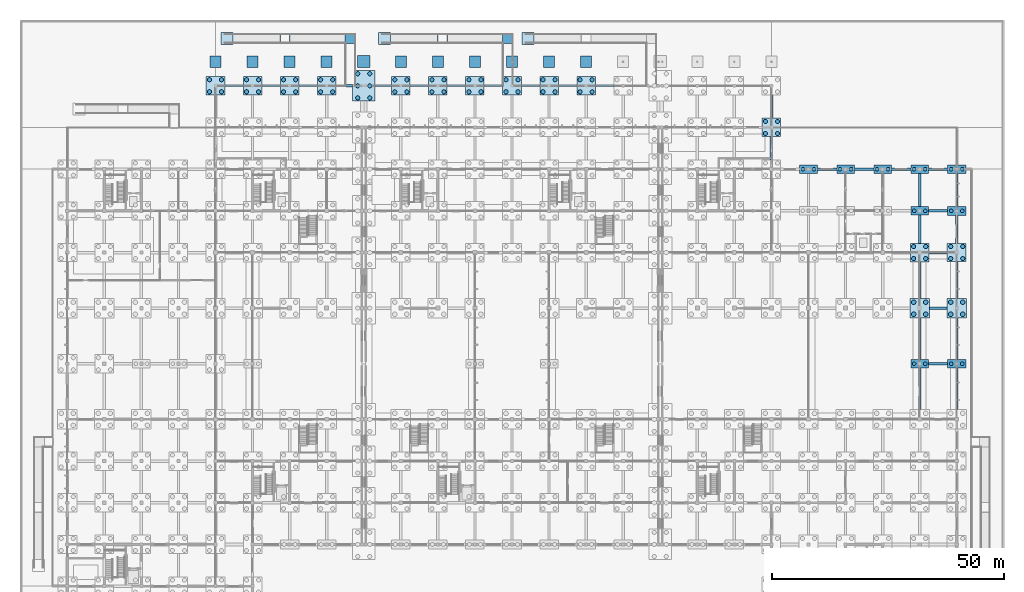
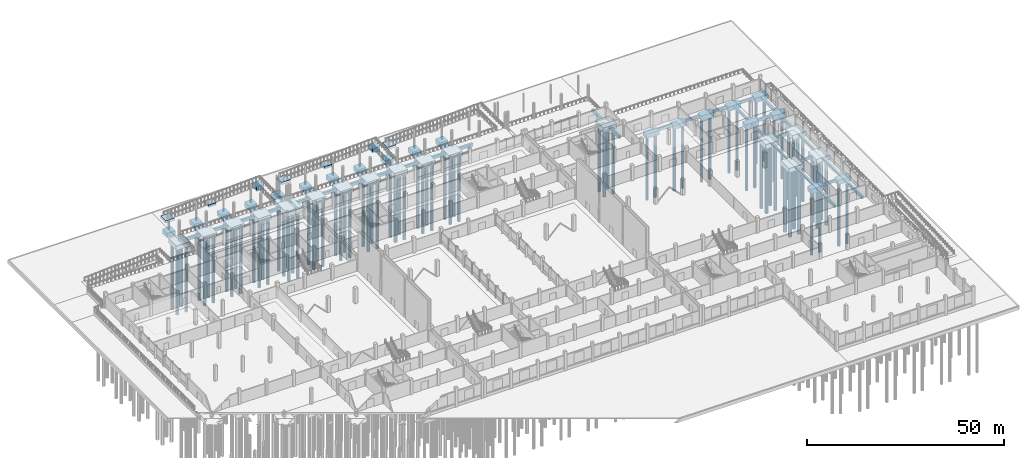
# One storey, part 11 of 72: 84 piles, 74 footings.
"""IFC4 building model written with IfcOpenShell, lengths in metres."""

from ifc_helpers import new_model, si_unit, direction, frame, origin, origin_2d, place, context, subcontext, project, spatial, rectangle, circle, extrude, material, material_profile, profile_set, type_object, element, save


model = new_model("IFC4")

# Units and contexts
model_context = context("Model", 3, precision=1e-05, world=origin(), true_north=direction((0.0, 1.0)))
body_context = subcontext(model_context, "Body", "Model", "MODEL_VIEW")
ifc_project = project(units=[si_unit("LENGTHUNIT", "METRE"), si_unit("AREAUNIT", "SQUARE_METRE"), si_unit("VOLUMEUNIT", "CUBIC_METRE"), si_unit("PLANEANGLEUNIT", "RADIAN"), si_unit("MASSUNIT", "GRAM", prefix="KILO"), si_unit("THERMODYNAMICTEMPERATUREUNIT", "KELVIN"), si_unit("POWERUNIT", "WATT")], contexts=[model_context])

# Site, building, storey
site_placement = place(None, origin())
site = spatial("IfcSite", under=ifc_project, at=site_placement, CompositionType="ELEMENT")
building_placement = place(site_placement, origin())
building = spatial("IfcBuilding", under=site, at=building_placement, Name="Kronsvod Quay Wholesale Market", CompositionType="ELEMENT")
storey_placement = place(building_placement, origin())
storey = spatial("IfcBuildingStorey", under=building, at=storey_placement, Name="L00", CompositionType="ELEMENT", Elevation=0.0)

# Footings
ifc_material_1 = material(Name="Concrete C35/45", Category="concrete")
footing_type_1 = type_object("IfcFootingType", Name="Cap_PC2A", PredefinedType="PILE_CAP", material=ifc_material_1)
for number, where, z_axis, x_axis, name in (
    (1, (160.0, 108.0, -2.64990234375), (0.0, 0.0, 1.0), (1.0, 0.0, 0.0), "CAP-231"),
    (2, (168.0, 108.0, -2.64990234375), (0.0, 0.0, 1.0), (1.0, 0.0, 0.0), "CAP-242"),
    (3, (176.0, 108.0, -2.64990234375), (0.0, 0.0, 1.0), (1.0, 0.0, 0.0), "CAP-253"),
    (4, (184.0, 66.0, -2.64990234375), (0.0, 0.0, 1.0), (1.0, 0.0, 0.0), "CAP-261"),
    (5, (184.0, 99.0, -2.64990234375), (0.0, 0.0, 1.0), (1.0, 0.0, 0.0), "CAP-264"),
    (6, (184.0, 108.0, -2.64990234375), (0.0, 0.0, 1.0), (1.0, 0.0, 0.0), "CAP-265"),
):
    element("IfcFooting", number, at=place(storey_placement, frame(where, z_axis=z_axis, x_axis=x_axis)), inside=storey, type_object=footing_type_1, Name=name, PredefinedType="PILE_CAP", context=body_context, shape_type="SweptSolid", body=[
        extrude(rectangle(XDim=3.800048828125, YDim=1.800048828125, at=origin_2d()), origin(), (0.0, 0.0, 1.0), 1.39990234375),
    ])
ifc_material_2 = material(Name="Concrete C35/45", Category="concrete")
footing_type_2 = type_object("IfcFootingType", Name="Cap_PC2C", PredefinedType="PILE_CAP", material=ifc_material_2)
for number, where, z_axis, x_axis, name in (
    (7, (192.0, 66.0, -2.64990234375), (0.0, 0.0, 1.0), (1.0, 0.0, 0.0), "CAP-273"),
    (8, (192.0, 99.0, -2.64990234375), (0.0, 0.0, 1.0), (1.0, 0.0, 0.0), "CAP-276"),
    (9, (192.0, 108.0, -2.64990234375), (0.0, 0.0, 1.0), (1.0, 0.0, 0.0), "CAP-277"),
):
    element("IfcFooting", number, at=place(storey_placement, frame(where, z_axis=z_axis, x_axis=x_axis)), inside=storey, type_object=footing_type_2, Name=name, PredefinedType="PILE_CAP", context=body_context, shape_type="SweptSolid", body=[
        extrude(rectangle(XDim=3.89990234375, YDim=1.89990234375, at=origin_2d()), origin(), (0.0, 0.0, 1.0), 1.39990234375),
    ])
ifc_material_3 = material(Name="Concrete C35/45", Category="concrete")
footing_type_3 = type_object("IfcFootingType", Name="Cap_PC4A", PredefinedType="PILE_CAP", material=ifc_material_3)
for number, where, z_axis, x_axis, name in (
    (10, (32.0, 126.0, -2.64990234375), (0.0, 0.0, 1.0), (1.0, 0.0, 0.0), "CAP-082"),
    (11, (40.0, 126.0, -2.64990234375), (0.0, 0.0, 1.0), (1.0, 0.0, 0.0), "CAP-096"),
    (12, (48.0, 126.0, -2.64990234375), (0.0, 0.0, 1.0), (1.0, 0.0, 0.0), "CAP-106"),
    (13, (56.0, 126.0, -2.64990234375), (0.0, 0.0, 1.0), (1.0, 0.0, 0.0), "CAP-116"),
    (14, (72.0, 126.0, -2.64990234375), (0.0, 0.0, 1.0), (1.0, 0.0, 0.0), "CAP-126"),
    (15, (80.0, 126.0, -2.64990234375), (0.0, 0.0, 1.0), (1.0, 0.0, 0.0), "CAP-136"),
    (16, (88.0, 126.0, -2.64990234375), (0.0, 0.0, 1.0), (1.0, 0.0, 0.0), "CAP-147"),
    (17, (96.0, 126.0, -2.64990234375), (0.0, 0.0, 1.0), (1.0, 0.0, 0.0), "CAP-156"),
    (18, (104.0, 126.0, -2.64990234375), (0.0, 0.0, 1.0), (1.0, 0.0, 0.0), "CAP-167"),
    (19, (112.0, 126.0, -2.64990234375), (0.0, 0.0, 1.0), (1.0, 0.0, 0.0), "CAP-177"),
    (20, (152.0, 117.0, -2.64990234375), (0.0, 0.0, 1.0), (1.0, 0.0, 0.0), "CAP-219"),
    (21, (184.0, 90.0, -2.64990234375), (0.0, 0.0, 1.0), (1.0, 0.0, 0.0), "CAP-263"),
):
    element("IfcFooting", number, at=place(storey_placement, frame(where, z_axis=z_axis, x_axis=x_axis)), inside=storey, type_object=footing_type_3, Name=name, PredefinedType="PILE_CAP", context=body_context, shape_type="SweptSolid", body=[
        extrude(rectangle(XDim=4.0, YDim=4.0, at=origin_2d()), origin(), (0.0, 0.0, 1.0), 1.39990234375),
    ])
ifc_material_4 = material(Name="Concrete C35/45", Category="concrete")
footing_type_4 = type_object("IfcFootingType", Name="Cap_PC4B", PredefinedType="PILE_CAP", material=ifc_material_4)
for number, where, z_axis, x_axis, name in (
    (22, (184.0, 78.0, -2.64990234375), (0.0, 0.0, 1.0), (1.0, 0.0, 0.0), "CAP-262"),
    (23, (192.0, 78.0, -2.64990234375), (0.0, 0.0, 1.0), (1.0, 0.0, 0.0), "CAP-274"),
):
    element("IfcFooting", number, at=place(storey_placement, frame(where, z_axis=z_axis, x_axis=x_axis)), inside=storey, type_object=footing_type_4, Name=name, PredefinedType="PILE_CAP", context=body_context, shape_type="SweptSolid", body=[
        extrude(rectangle(XDim=4.199951171875, YDim=4.199951171875, at=origin_2d()), origin(), (0.0, 0.0, 1.0), 1.39990234375),
    ])
ifc_material_5 = material(Name="Concrete C35/45", Category="concrete")
footing_type_5 = type_object("IfcFootingType", Name="Cap_PC4C", PredefinedType="PILE_CAP", material=ifc_material_5)
footing_1_placement = place(storey_placement, frame((192.0, 90.0, -2.64990234375), z_axis=(0.0, 0.0, 1.0), x_axis=(1.0, 0.0, 0.0)))
element("IfcFooting", 24, at=footing_1_placement, inside=storey, type_object=footing_type_5, Name="CAP-275", PredefinedType="PILE_CAP", context=body_context, shape_type="SweptSolid", body=[
    extrude(rectangle(XDim=4.10009765625, YDim=3.89990234375, at=origin_2d()), origin(), (0.0, 0.0, 1.0), 1.39990234375),
])
ifc_material_6 = material(Name="Concrete C35/45", Category="concrete")
footing_type_6 = type_object("IfcFootingType", Name="Cap_PC6J", PredefinedType="PILE_CAP", material=ifc_material_6)
footing_2_placement = place(storey_placement, frame((64.0, 126.0, -2.64990234375), z_axis=(0.0, 0.0, 1.0), x_axis=(1.0, 0.0, 0.0)))
element("IfcFooting", 25, at=footing_2_placement, inside=storey, type_object=footing_type_6, Name="CAP-J019", PredefinedType="PILE_CAP", context=body_context, shape_type="SweptSolid", body=[
    extrude(rectangle(XDim=4.800048828125, YDim=6.60009765625, at=origin_2d()), origin(), (0.0, 0.0, 1.0), 1.39990234375),
])
ifc_material_7 = material(Name="Concrete C35/45", Category="concrete")
ifc_material_profile_1 = material_profile(ifc_material_7, rectangle(XDim=0.5, YDim=0.800048828125, at=origin_2d()), Name="FB-01")
ifc_profile_set_1 = profile_set([ifc_material_profile_1], Name="Concrete C35/45")
footing_type_7 = type_object("IfcFootingType", Name="FootingBeam_500x800", PredefinedType="FOOTING_BEAM", material=ifc_profile_set_1)
footing_3_placement = place(storey_placement, frame((185.89990234375, 66.0, -1.64990234375), z_axis=(1.0, 0.0, 0.0), x_axis=(0.0, 1.0, 0.0)))
element("IfcFooting", 26, at=footing_3_placement, inside=storey, type_object=footing_type_7, Name="FB-X-0389", PredefinedType="FOOTING_BEAM", context=body_context, shape_type="SweptSolid", body=[
    extrude(rectangle(XDim=0.5, YDim=0.800048828125, at=origin_2d()), origin(), (0.0, 0.0, 1.0), 4.150146484375),
])
footing_4_placement = place(storey_placement, frame((186.10009765625, 78.0, -1.64990234375), z_axis=(1.0, 0.0, 0.0), x_axis=(0.0, 1.0, 0.0)))
element("IfcFooting", 27, at=footing_4_placement, inside=storey, type_object=footing_type_7, Name="FB-X-0397", PredefinedType="FOOTING_BEAM", context=body_context, shape_type="SweptSolid", body=[
    extrude(rectangle(XDim=0.5, YDim=0.800048828125, at=origin_2d()), origin(), (0.0, 0.0, 1.0), 3.7998046875),
])
for number, where, z_axis, x_axis, name in (
    (28, (161.89990234375, 108.0, -1.64990234375), (1.0, 0.0, 0.0), (0.0, 1.0, 0.0), "FB-X-0418"),
    (29, (169.89990234375, 108.0, -1.64990234375), (1.0, 0.0, 0.0), (0.0, 1.0, 0.0), "FB-X-0419"),
    (30, (177.89990234375, 108.0, -1.64990234375), (1.0, 0.0, 0.0), (0.0, 1.0, 0.0), "FB-X-0420"),
):
    element("IfcFooting", number, at=place(storey_placement, frame(where, z_axis=z_axis, x_axis=x_axis)), inside=storey, type_object=footing_type_7, Name=name, PredefinedType="FOOTING_BEAM", context=body_context, shape_type="SweptSolid", body=[
        extrude(rectangle(XDim=0.5, YDim=0.800048828125, at=origin_2d()), origin(), (0.0, 0.0, 1.0), 4.2001953125),
    ])
footing_5_placement = place(storey_placement, frame((185.89990234375, 108.0, -1.64990234375), z_axis=(1.0, 0.0, 0.0), x_axis=(0.0, 1.0, 0.0)))
element("IfcFooting", 31, at=footing_5_placement, inside=storey, type_object=footing_type_7, Name="FB-X-0421", PredefinedType="FOOTING_BEAM", context=body_context, shape_type="SweptSolid", body=[
    extrude(rectangle(XDim=0.5, YDim=0.800048828125, at=origin_2d()), origin(), (0.0, 0.0, 1.0), 4.150146484375),
])
for number, where, z_axis, x_axis, name in (
    (32, (184.0, 56.10009765625, -1.64990234375), (0.0, 1.0, 0.0), (-1.0, 0.0, 0.0), "FB-Y-0496"),
    (33, (184.0, 66.89990234375, -1.64990234375), (0.0, 1.0, 0.0), (-1.0, 0.0, 0.0), "FB-Y-0497"),
):
    element("IfcFooting", number, at=place(storey_placement, frame(where, z_axis=z_axis, x_axis=x_axis)), inside=storey, type_object=footing_type_7, Name=name, PredefinedType="FOOTING_BEAM", context=body_context, shape_type="SweptSolid", body=[
        extrude(rectangle(XDim=0.5, YDim=0.800048828125, at=origin_2d()), origin(), (0.0, 0.0, 1.0), 9.0),
    ])
footing_6_placement = place(storey_placement, frame((184.0, 80.10009765625, -1.64990234375), z_axis=(0.0, 1.0, 0.0), x_axis=(-1.0, 0.0, 0.0)))
element("IfcFooting", 34, at=footing_6_placement, inside=storey, type_object=footing_type_7, Name="FB-Y-0498", PredefinedType="FOOTING_BEAM", context=body_context, shape_type="SweptSolid", body=[
    extrude(rectangle(XDim=0.5, YDim=0.800048828125, at=origin_2d()), origin(), (0.0, 0.0, 1.0), 7.89990234375),
])
footing_7_placement = place(storey_placement, frame((184.0, 92.0, -1.64990234375), z_axis=(0.0, 1.0, 0.0), x_axis=(-1.0, 0.0, 0.0)))
element("IfcFooting", 35, at=footing_7_placement, inside=storey, type_object=footing_type_7, Name="FB-Y-0499", PredefinedType="FOOTING_BEAM", context=body_context, shape_type="SweptSolid", body=[
    extrude(rectangle(XDim=0.5, YDim=0.800048828125, at=origin_2d()), origin(), (0.0, 0.0, 1.0), 6.10009765625),
])
footing_8_placement = place(storey_placement, frame((184.0, 99.89990234375, -1.64990234375), z_axis=(0.0, 1.0, 0.0), x_axis=(-1.0, 0.0, 0.0)))
element("IfcFooting", 36, at=footing_8_placement, inside=storey, type_object=footing_type_7, Name="FB-Y-0500", PredefinedType="FOOTING_BEAM", context=body_context, shape_type="SweptSolid", body=[
    extrude(rectangle(XDim=0.5, YDim=0.800048828125, at=origin_2d()), origin(), (0.0, 0.0, 1.0), 7.2001953125),
])
ifc_material_8 = material(Name="Concrete C35/45", Category="concrete")
ifc_material_profile_2 = material_profile(ifc_material_8, rectangle(XDim=0.550048828125, YDim=0.85009765625, at=origin_2d()), Name="FB-03")
ifc_profile_set_2 = profile_set([ifc_material_profile_2], Name="Concrete C35/45")
footing_type_8 = type_object("IfcFootingType", Name="FootingBeam_550x850", PredefinedType="FOOTING_BEAM", material=ifc_profile_set_2)
footing_9_placement = place(storey_placement, frame((186.0, 90.0, -1.675048828125), z_axis=(1.0, 0.0, 0.0), x_axis=(0.0, 1.0, 0.0)))
element("IfcFooting", 37, at=footing_9_placement, inside=storey, type_object=footing_type_8, Name="FB-X-0405", PredefinedType="FOOTING_BEAM", context=body_context, shape_type="SweptSolid", body=[
    extrude(rectangle(XDim=0.550048828125, YDim=0.85009765625, at=origin_2d()), origin(), (0.0, 0.0, 1.0), 3.949951171875),
])
footing_10_placement = place(storey_placement, frame((185.89990234375, 99.0, -1.675048828125), z_axis=(1.0, 0.0, 0.0), x_axis=(0.0, 1.0, 0.0)))
element("IfcFooting", 38, at=footing_10_placement, inside=storey, type_object=footing_type_8, Name="FB-X-0413", PredefinedType="FOOTING_BEAM", context=body_context, shape_type="SweptSolid", body=[
    extrude(rectangle(XDim=0.550048828125, YDim=0.85009765625, at=origin_2d()), origin(), (0.0, 0.0, 1.0), 4.150146484375),
])
ifc_material_9 = material(Name="Concrete C35/45", Category="concrete")
ifc_material_profile_3 = material_profile(ifc_material_9, rectangle(XDim=0.60009765625, YDim=0.89990234375, at=origin_2d()), Name="FB-02")
ifc_profile_set_3 = profile_set([ifc_material_profile_3], Name="Concrete C35/45")
footing_type_9 = type_object("IfcFootingType", Name="FootingBeam_600x900", PredefinedType="FOOTING_BEAM", material=ifc_profile_set_3)
for number, where, z_axis, x_axis, name in (
    (39, (34.0, 126.0, -1.699951171875), (1.0, 0.0, 0.0), (0.0, 1.0, 0.0), "FB-X-0089"),
    (40, (42.0, 126.0, -1.699951171875), (1.0, 0.0, 0.0), (0.0, 1.0, 0.0), "FB-X-0090"),
    (41, (50.0, 126.0, -1.699951171875), (1.0, 0.0, 0.0), (0.0, 1.0, 0.0), "FB-X-0091"),
):
    element("IfcFooting", number, at=place(storey_placement, frame(where, z_axis=z_axis, x_axis=x_axis)), inside=storey, type_object=footing_type_9, Name=name, PredefinedType="FOOTING_BEAM", context=body_context, shape_type="SweptSolid", body=[
        extrude(rectangle(XDim=0.60009765625, YDim=0.89990234375, at=origin_2d()), origin(), (0.0, 0.0, 1.0), 4.0),
    ])
for number, where, z_axis, x_axis, name in (
    (42, (58.0, 126.0, -1.699951171875), (1.0, 0.0, 0.0), (0.0, 1.0, 0.0), "FB-X-0092"),
    (43, (66.39990234375, 126.0, -1.699951171875), (1.0, 0.0, 0.0), (0.0, 1.0, 0.0), "FB-X-0259"),
):
    element("IfcFooting", number, at=place(storey_placement, frame(where, z_axis=z_axis, x_axis=x_axis)), inside=storey, type_object=footing_type_9, Name=name, PredefinedType="FOOTING_BEAM", context=body_context, shape_type="SweptSolid", body=[
        extrude(rectangle(XDim=0.60009765625, YDim=0.89990234375, at=origin_2d()), origin(), (0.0, 0.0, 1.0), 3.60009765625),
    ])
for number, where, z_axis, x_axis, name in (
    (44, (74.0, 126.0, -1.699951171875), (1.0, 0.0, 0.0), (0.0, 1.0, 0.0), "FB-X-0260"),
    (45, (82.0, 126.0, -1.699951171875), (1.0, 0.0, 0.0), (0.0, 1.0, 0.0), "FB-X-0261"),
    (46, (90.0, 126.0, -1.699951171875), (1.0, 0.0, 0.0), (0.0, 1.0, 0.0), "FB-X-0262"),
    (47, (98.0, 126.0, -1.699951171875), (1.0, 0.0, 0.0), (0.0, 1.0, 0.0), "FB-X-0263"),
    (48, (106.0, 126.0, -1.699951171875), (1.0, 0.0, 0.0), (0.0, 1.0, 0.0), "FB-X-0264"),
    (49, (114.0, 126.0, -1.699951171875), (1.0, 0.0, 0.0), (0.0, 1.0, 0.0), "FB-X-0265"),
):
    element("IfcFooting", number, at=place(storey_placement, frame(where, z_axis=z_axis, x_axis=x_axis)), inside=storey, type_object=footing_type_9, Name=name, PredefinedType="FOOTING_BEAM", context=body_context, shape_type="SweptSolid", body=[
        extrude(rectangle(XDim=0.60009765625, YDim=0.89990234375, at=origin_2d()), origin(), (0.0, 0.0, 1.0), 4.0),
    ])
for number, where, z_axis, x_axis, name in (
    (50, (152.0, 110.0, -1.699951171875), (0.0, 1.0, 0.0), (-1.0, 0.0, 0.0), "FB-Y-0461"),
    (51, (152.0, 119.0, -1.699951171875), (0.0, 1.0, 0.0), (-1.0, 0.0, 0.0), "FB-Y-0462"),
):
    element("IfcFooting", number, at=place(storey_placement, frame(where, z_axis=z_axis, x_axis=x_axis)), inside=storey, type_object=footing_type_9, Name=name, PredefinedType="FOOTING_BEAM", context=body_context, shape_type="SweptSolid", body=[
        extrude(rectangle(XDim=0.60009765625, YDim=0.89990234375, at=origin_2d()), origin(), (0.0, 0.0, 1.0), 5.0),
    ])
for number, where, z_axis, x_axis, name in (
    (52, (192.0, 56.10009765625, -1.699951171875), (0.0, 1.0, 0.0), (-1.0, 0.0, 0.0), "FB-Y-0509"),
    (53, (192.0, 66.949951171875, -1.699951171875), (0.0, 1.0, 0.0), (-1.0, 0.0, 0.0), "FB-Y-0510"),
):
    element("IfcFooting", number, at=place(storey_placement, frame(where, z_axis=z_axis, x_axis=x_axis)), inside=storey, type_object=footing_type_9, Name=name, PredefinedType="FOOTING_BEAM", context=body_context, shape_type="SweptSolid", body=[
        extrude(rectangle(XDim=0.60009765625, YDim=0.89990234375, at=origin_2d()), origin(), (0.0, 0.0, 1.0), 8.949951171875),
    ])
footing_11_placement = place(storey_placement, frame((192.0, 80.10009765625, -1.699951171875), z_axis=(0.0, 1.0, 0.0), x_axis=(-1.0, 0.0, 0.0)))
element("IfcFooting", 54, at=footing_11_placement, inside=storey, type_object=footing_type_9, Name="FB-Y-0511", PredefinedType="FOOTING_BEAM", context=body_context, shape_type="SweptSolid", body=[
    extrude(rectangle(XDim=0.60009765625, YDim=0.89990234375, at=origin_2d()), origin(), (0.0, 0.0, 1.0), 7.949951171875),
])
footing_12_placement = place(storey_placement, frame((192.0, 91.949951171875, -1.699951171875), z_axis=(0.0, 1.0, 0.0), x_axis=(-1.0, 0.0, 0.0)))
element("IfcFooting", 55, at=footing_12_placement, inside=storey, type_object=footing_type_9, Name="FB-Y-0512", PredefinedType="FOOTING_BEAM", context=body_context, shape_type="SweptSolid", body=[
    extrude(rectangle(XDim=0.60009765625, YDim=0.89990234375, at=origin_2d()), origin(), (0.0, 0.0, 1.0), 6.10009765625),
])
footing_13_placement = place(storey_placement, frame((192.0, 99.949951171875, -1.699951171875), z_axis=(0.0, 1.0, 0.0), x_axis=(-1.0, 0.0, 0.0)))
element("IfcFooting", 56, at=footing_13_placement, inside=storey, type_object=footing_type_9, Name="FB-Y-0513", PredefinedType="FOOTING_BEAM", context=body_context, shape_type="SweptSolid", body=[
    extrude(rectangle(XDim=0.60009765625, YDim=0.89990234375, at=origin_2d()), origin(), (0.0, 0.0, 1.0), 7.10009765625),
])
ifc_material_10 = material(Name="Concrete C35/45", Category="concrete")
footing_type_10 = type_object("IfcFootingType", Name="Pad_PF2", PredefinedType="PAD_FOOTING", material=ifc_material_10)
footing_14_placement = place(storey_placement, frame((64.0, 131.199951171875, -2.7001953125), z_axis=(0.0, 0.0, 1.0), x_axis=(1.0, 0.0, 0.0)))
element("IfcFooting", 57, at=footing_14_placement, inside=storey, type_object=footing_type_10, Name="PAD-11", PredefinedType="PAD_FOOTING", context=body_context, shape_type="SweptSolid", body=[
    extrude(rectangle(XDim=2.60009765625, YDim=2.60009765625, at=origin_2d()), origin(), (0.0, 0.0, 1.0), 1.449951171875),
])
for number, where, z_axis, x_axis, name in (
    (58, (32.0, 131.199951171875, -2.7001953125), (0.0, 0.0, 1.0), (1.0, 0.0, 0.0), "PAD-13"),
    (59, (40.0, 131.199951171875, -2.7001953125), (0.0, 0.0, 1.0), (1.0, 0.0, 0.0), "PAD-14"),
    (60, (48.0, 131.199951171875, -2.7001953125), (0.0, 0.0, 1.0), (1.0, 0.0, 0.0), "PAD-15"),
    (61, (56.0, 131.199951171875, -2.7001953125), (0.0, 0.0, 1.0), (1.0, 0.0, 0.0), "PAD-16"),
    (62, (72.0, 131.199951171875, -2.7001953125), (0.0, 0.0, 1.0), (1.0, 0.0, 0.0), "PAD-17"),
    (63, (80.0, 131.199951171875, -2.7001953125), (0.0, 0.0, 1.0), (1.0, 0.0, 0.0), "PAD-18"),
    (64, (88.0, 131.199951171875, -2.7001953125), (0.0, 0.0, 1.0), (1.0, 0.0, 0.0), "PAD-19"),
    (65, (96.0, 131.199951171875, -2.7001953125), (0.0, 0.0, 1.0), (1.0, 0.0, 0.0), "PAD-20"),
    (66, (104.0, 131.199951171875, -2.7001953125), (0.0, 0.0, 1.0), (1.0, 0.0, 0.0), "PAD-21"),
    (67, (112.0, 131.199951171875, -2.7001953125), (0.0, 0.0, 1.0), (1.0, 0.0, 0.0), "PAD-22"),
):
    element("IfcFooting", number, at=place(storey_placement, frame(where, z_axis=z_axis, x_axis=x_axis)), inside=storey, type_object=footing_type_10, Name=name, PredefinedType="PAD_FOOTING", context=body_context, shape_type="SweptSolid", body=[
        extrude(rectangle(XDim=2.39990234375, YDim=2.39990234375, at=origin_2d()), origin(), (0.0, 0.0, 1.0), 1.449951171875),
    ])
ifc_material_11 = material(Name="Concrete C35/45", Category="concrete")
footing_type_11 = type_object("IfcFootingType", Name="Pad_PFRamp", PredefinedType="PAD_FOOTING", material=ifc_material_11)
for number, where, z_axis, x_axis, name in (
    (68, (34.5, 136.199951171875, -1.89990234375), (0.0, 0.0, 1.0), (1.0, 0.0, 0.0), "PAD-05"),
    (69, (68.5, 136.199951171875, -1.89990234375), (0.0, 0.0, 1.0), (1.0, 0.0, 0.0), "PAD-06"),
    (70, (99.5, 136.199951171875, -1.89990234375), (0.0, 0.0, 1.0), (1.0, 0.0, 0.0), "PAD-07"),
):
    element("IfcFooting", number, at=place(storey_placement, frame(where, z_axis=z_axis, x_axis=x_axis)), inside=storey, type_object=footing_type_11, Name=name, PredefinedType="PAD_FOOTING", context=body_context, shape_type="SweptSolid", body=[
        extrude(rectangle(XDim=2.60009765625, YDim=2.60009765625, at=origin_2d()), origin(), (0.0, 0.0, 1.0), 0.699951171875),
    ])
footing_15_placement = place(storey_placement, frame((47.0, 136.199951171875, -1.60009765625), z_axis=(0.0, 0.0, 1.0), x_axis=(1.0, 0.0, 0.0)))
element("IfcFooting", 71, at=footing_15_placement, inside=storey, type_object=footing_type_11, Name="RMP-N01-PIER1", PredefinedType="PAD_FOOTING", context=body_context, shape_type="SweptSolid", body=[
    extrude(rectangle(XDim=2.199951171875, YDim=2.199951171875, at=origin_2d()), origin(), (0.0, 0.0, 1.0), 0.780029296875),
])
footing_16_placement = place(storey_placement, frame((61.10009765625, 136.199951171875, -1.599853515625), z_axis=(0.0, 0.0, 1.0), x_axis=(1.0, 0.0, 0.0)))
element("IfcFooting", 72, at=footing_16_placement, inside=storey, type_object=footing_type_11, Name="RMP-N01-PIER2", PredefinedType="PAD_FOOTING", context=body_context, shape_type="SweptSolid", body=[
    extrude(rectangle(XDim=2.199951171875, YDim=2.199951171875, at=origin_2d()), origin(), (0.0, 0.0, 1.0), 1.3798828125),
])
footing_17_placement = place(storey_placement, frame((81.0, 136.199951171875, -1.60009765625), z_axis=(0.0, 0.0, 1.0), x_axis=(1.0, 0.0, 0.0)))
element("IfcFooting", 73, at=footing_17_placement, inside=storey, type_object=footing_type_11, Name="RMP-N02-PIER1", PredefinedType="PAD_FOOTING", context=body_context, shape_type="SweptSolid", body=[
    extrude(rectangle(XDim=2.199951171875, YDim=2.199951171875, at=origin_2d()), origin(), (0.0, 0.0, 1.0), 0.780029296875),
])
footing_18_placement = place(storey_placement, frame((95.10009765625, 136.199951171875, -1.599853515625), z_axis=(0.0, 0.0, 1.0), x_axis=(1.0, 0.0, 0.0)))
element("IfcFooting", 74, at=footing_18_placement, inside=storey, type_object=footing_type_11, Name="RMP-N02-PIER2", PredefinedType="PAD_FOOTING", context=body_context, shape_type="SweptSolid", body=[
    extrude(rectangle(XDim=2.199951171875, YDim=2.199951171875, at=origin_2d()), origin(), (0.0, 0.0, 1.0), 1.3798828125),
])

# Piles
ifc_material_12 = material(Name="Concrete C35/45", Category="concrete")
ifc_material_profile_4 = material_profile(ifc_material_12, circle(Radius=0.5, at=origin_2d()), Name="PILE1000")
ifc_profile_set_4 = profile_set([ifc_material_profile_4], Name="Concrete C35/45")
pile_type_1 = type_object("IfcPileType", Name="Pile_PILE1000", PredefinedType="BORED", material=ifc_profile_set_4)
for number, where, z_axis, x_axis, name in (
    (75, (182.699951171875, 76.699951171875, -2.64990234375), (0.0, 0.0, -1.0), (1.0, 0.0, 0.0), "PILE-0995"),
    (76, (182.699951171875, 79.300048828125, -2.64990234375), (0.0, 0.0, -1.0), (1.0, 0.0, 0.0), "PILE-0996"),
    (77, (185.300048828125, 76.699951171875, -2.64990234375), (0.0, 0.0, -1.0), (1.0, 0.0, 0.0), "PILE-0997"),
    (78, (185.300048828125, 79.300048828125, -2.64990234375), (0.0, 0.0, -1.0), (1.0, 0.0, 0.0), "PILE-0998"),
    (79, (190.699951171875, 76.699951171875, -2.64990234375), (0.0, 0.0, -1.0), (1.0, 0.0, 0.0), "PILE-1033"),
    (80, (190.699951171875, 79.300048828125, -2.64990234375), (0.0, 0.0, -1.0), (1.0, 0.0, 0.0), "PILE-1034"),
    (81, (193.300048828125, 76.699951171875, -2.64990234375), (0.0, 0.0, -1.0), (1.0, 0.0, 0.0), "PILE-1035"),
    (82, (193.300048828125, 79.300048828125, -2.64990234375), (0.0, 0.0, -1.0), (1.0, 0.0, 0.0), "PILE-1036"),
):
    element("IfcPile", number, at=place(storey_placement, frame(where, z_axis=z_axis, x_axis=x_axis)), inside=storey, type_object=pile_type_1, Name=name, PredefinedType="BORED", context=body_context, shape_type="SweptSolid", body=[
        extrude(circle(Radius=0.5, at=origin_2d()), origin(), (0.0, 0.0, 1.0), 20.39990234375),
    ])
ifc_material_13 = material(Name="Concrete C35/45", Category="concrete")
ifc_material_profile_5 = material_profile(ifc_material_13, circle(Radius=0.39990234375, at=origin_2d()), Name="PILE800")
ifc_profile_set_5 = profile_set([ifc_material_profile_5], Name="Concrete C35/45")
pile_type_2 = type_object("IfcPileType", Name="Pile_PILE800", PredefinedType="BORED", material=ifc_profile_set_5)
for number, where, z_axis, x_axis, name in (
    (83, (158.800048828125, 108.0, -2.64990234375), (0.0, 0.0, -1.0), (1.0, 0.0, 0.0), "PILE-0895"),
    (84, (161.199951171875, 108.0, -2.64990234375), (0.0, 0.0, -1.0), (1.0, 0.0, 0.0), "PILE-0896"),
    (85, (166.800048828125, 108.0, -2.64990234375), (0.0, 0.0, -1.0), (1.0, 0.0, 0.0), "PILE-0931"),
    (86, (169.199951171875, 108.0, -2.64990234375), (0.0, 0.0, -1.0), (1.0, 0.0, 0.0), "PILE-0932"),
    (87, (174.800048828125, 108.0, -2.64990234375), (0.0, 0.0, -1.0), (1.0, 0.0, 0.0), "PILE-0967"),
    (88, (177.199951171875, 108.0, -2.64990234375), (0.0, 0.0, -1.0), (1.0, 0.0, 0.0), "PILE-0968"),
    (89, (182.800048828125, 66.0, -2.64990234375), (0.0, 0.0, -1.0), (1.0, 0.0, 0.0), "PILE-0993"),
    (90, (185.199951171875, 66.0, -2.64990234375), (0.0, 0.0, -1.0), (1.0, 0.0, 0.0), "PILE-0994"),
    (91, (182.800048828125, 99.0, -2.64990234375), (0.0, 0.0, -1.0), (1.0, 0.0, 0.0), "PILE-1003"),
    (92, (185.199951171875, 99.0, -2.64990234375), (0.0, 0.0, -1.0), (1.0, 0.0, 0.0), "PILE-1004"),
    (93, (182.800048828125, 108.0, -2.64990234375), (0.0, 0.0, -1.0), (1.0, 0.0, 0.0), "PILE-1005"),
    (94, (185.199951171875, 108.0, -2.64990234375), (0.0, 0.0, -1.0), (1.0, 0.0, 0.0), "PILE-1006"),
    (95, (190.800048828125, 66.0, -2.64990234375), (0.0, 0.0, -1.0), (1.0, 0.0, 0.0), "PILE-1031"),
    (96, (193.199951171875, 66.0, -2.64990234375), (0.0, 0.0, -1.0), (1.0, 0.0, 0.0), "PILE-1032"),
    (97, (190.800048828125, 99.0, -2.64990234375), (0.0, 0.0, -1.0), (1.0, 0.0, 0.0), "PILE-1041"),
    (98, (193.199951171875, 99.0, -2.64990234375), (0.0, 0.0, -1.0), (1.0, 0.0, 0.0), "PILE-1042"),
    (99, (190.800048828125, 108.0, -2.64990234375), (0.0, 0.0, -1.0), (1.0, 0.0, 0.0), "PILE-1043"),
    (100, (193.199951171875, 108.0, -2.64990234375), (0.0, 0.0, -1.0), (1.0, 0.0, 0.0), "PILE-1044"),
):
    element("IfcPile", number, at=place(storey_placement, frame(where, z_axis=z_axis, x_axis=x_axis)), inside=storey, type_object=pile_type_2, Name=name, PredefinedType="BORED", context=body_context, shape_type="SweptSolid", body=[
        extrude(circle(Radius=0.39990234375, at=origin_2d()), origin(), (0.0, 0.0, 1.0), 19.60009765625),
    ])
ifc_material_14 = material(Name="Concrete C35/45", Category="concrete")
ifc_material_profile_6 = material_profile(ifc_material_14, circle(Radius=0.449951171875, at=origin_2d()), Name="PILE900")
ifc_profile_set_6 = profile_set([ifc_material_profile_6], Name="Concrete C35/45")
pile_type_3 = type_object("IfcPileType", Name="Pile_PILE900", PredefinedType="BORED", material=ifc_profile_set_6)
for number, where, z_axis, x_axis, name in (
    (101, (62.699951171875, 123.39990234375, -2.64990234375), (0.0, 0.0, -1.0), (1.0, 0.0, 0.0), "PILE-0109"),
    (102, (62.699951171875, 126.0, -2.64990234375), (0.0, 0.0, -1.0), (1.0, 0.0, 0.0), "PILE-0110"),
    (103, (62.699951171875, 128.60009765625, -2.64990234375), (0.0, 0.0, -1.0), (1.0, 0.0, 0.0), "PILE-0111"),
    (104, (65.300048828125, 123.39990234375, -2.64990234375), (0.0, 0.0, -1.0), (1.0, 0.0, 0.0), "PILE-0112"),
    (105, (65.300048828125, 126.0, -2.64990234375), (0.0, 0.0, -1.0), (1.0, 0.0, 0.0), "PILE-0113"),
    (106, (65.300048828125, 128.60009765625, -2.64990234375), (0.0, 0.0, -1.0), (1.0, 0.0, 0.0), "PILE-0114"),
    (107, (30.699951171875, 124.699951171875, -2.64990234375), (0.0, 0.0, -1.0), (1.0, 0.0, 0.0), "PILE-0341"),
    (108, (30.699951171875, 127.300048828125, -2.64990234375), (0.0, 0.0, -1.0), (1.0, 0.0, 0.0), "PILE-0342"),
    (109, (33.300048828125, 124.699951171875, -2.64990234375), (0.0, 0.0, -1.0), (1.0, 0.0, 0.0), "PILE-0343"),
    (110, (33.300048828125, 127.300048828125, -2.64990234375), (0.0, 0.0, -1.0), (1.0, 0.0, 0.0), "PILE-0344"),
    (111, (38.699951171875, 124.699951171875, -2.64990234375), (0.0, 0.0, -1.0), (1.0, 0.0, 0.0), "PILE-0391"),
    (112, (38.699951171875, 127.300048828125, -2.64990234375), (0.0, 0.0, -1.0), (1.0, 0.0, 0.0), "PILE-0392"),
    (113, (41.300048828125, 124.699951171875, -2.64990234375), (0.0, 0.0, -1.0), (1.0, 0.0, 0.0), "PILE-0393"),
    (114, (41.300048828125, 127.300048828125, -2.64990234375), (0.0, 0.0, -1.0), (1.0, 0.0, 0.0), "PILE-0394"),
    (115, (46.699951171875, 124.699951171875, -2.64990234375), (0.0, 0.0, -1.0), (1.0, 0.0, 0.0), "PILE-0429"),
    (116, (46.699951171875, 127.300048828125, -2.64990234375), (0.0, 0.0, -1.0), (1.0, 0.0, 0.0), "PILE-0430"),
    (117, (49.300048828125, 124.699951171875, -2.64990234375), (0.0, 0.0, -1.0), (1.0, 0.0, 0.0), "PILE-0431"),
    (118, (49.300048828125, 127.300048828125, -2.64990234375), (0.0, 0.0, -1.0), (1.0, 0.0, 0.0), "PILE-0432"),
    (119, (54.699951171875, 124.699951171875, -2.64990234375), (0.0, 0.0, -1.0), (1.0, 0.0, 0.0), "PILE-0467"),
    (120, (54.699951171875, 127.300048828125, -2.64990234375), (0.0, 0.0, -1.0), (1.0, 0.0, 0.0), "PILE-0468"),
    (121, (57.300048828125, 124.699951171875, -2.64990234375), (0.0, 0.0, -1.0), (1.0, 0.0, 0.0), "PILE-0469"),
    (122, (57.300048828125, 127.300048828125, -2.64990234375), (0.0, 0.0, -1.0), (1.0, 0.0, 0.0), "PILE-0470"),
    (123, (70.699951171875, 124.699951171875, -2.64990234375), (0.0, 0.0, -1.0), (1.0, 0.0, 0.0), "PILE-0505"),
    (124, (70.699951171875, 127.300048828125, -2.64990234375), (0.0, 0.0, -1.0), (1.0, 0.0, 0.0), "PILE-0506"),
    (125, (73.300048828125, 124.699951171875, -2.64990234375), (0.0, 0.0, -1.0), (1.0, 0.0, 0.0), "PILE-0507"),
    (126, (73.300048828125, 127.300048828125, -2.64990234375), (0.0, 0.0, -1.0), (1.0, 0.0, 0.0), "PILE-0508"),
    (127, (78.699951171875, 124.699951171875, -2.64990234375), (0.0, 0.0, -1.0), (1.0, 0.0, 0.0), "PILE-0543"),
    (128, (78.699951171875, 127.300048828125, -2.64990234375), (0.0, 0.0, -1.0), (1.0, 0.0, 0.0), "PILE-0544"),
    (129, (81.300048828125, 124.699951171875, -2.64990234375), (0.0, 0.0, -1.0), (1.0, 0.0, 0.0), "PILE-0545"),
    (130, (81.300048828125, 127.300048828125, -2.64990234375), (0.0, 0.0, -1.0), (1.0, 0.0, 0.0), "PILE-0546"),
    (131, (86.699951171875, 124.699951171875, -2.64990234375), (0.0, 0.0, -1.0), (1.0, 0.0, 0.0), "PILE-0583"),
    (132, (86.699951171875, 127.300048828125, -2.64990234375), (0.0, 0.0, -1.0), (1.0, 0.0, 0.0), "PILE-0584"),
    (133, (89.300048828125, 124.699951171875, -2.64990234375), (0.0, 0.0, -1.0), (1.0, 0.0, 0.0), "PILE-0585"),
    (134, (89.300048828125, 127.300048828125, -2.64990234375), (0.0, 0.0, -1.0), (1.0, 0.0, 0.0), "PILE-0586"),
    (135, (94.699951171875, 124.699951171875, -2.64990234375), (0.0, 0.0, -1.0), (1.0, 0.0, 0.0), "PILE-0617"),
    (136, (94.699951171875, 127.300048828125, -2.64990234375), (0.0, 0.0, -1.0), (1.0, 0.0, 0.0), "PILE-0618"),
    (137, (97.300048828125, 124.699951171875, -2.64990234375), (0.0, 0.0, -1.0), (1.0, 0.0, 0.0), "PILE-0619"),
    (138, (97.300048828125, 127.300048828125, -2.64990234375), (0.0, 0.0, -1.0), (1.0, 0.0, 0.0), "PILE-0620"),
    (139, (102.699951171875, 124.699951171875, -2.64990234375), (0.0, 0.0, -1.0), (1.0, 0.0, 0.0), "PILE-0657"),
    (140, (102.699951171875, 127.300048828125, -2.64990234375), (0.0, 0.0, -1.0), (1.0, 0.0, 0.0), "PILE-0658"),
    (141, (105.300048828125, 124.699951171875, -2.64990234375), (0.0, 0.0, -1.0), (1.0, 0.0, 0.0), "PILE-0659"),
    (142, (105.300048828125, 127.300048828125, -2.64990234375), (0.0, 0.0, -1.0), (1.0, 0.0, 0.0), "PILE-0660"),
    (143, (110.699951171875, 124.699951171875, -2.64990234375), (0.0, 0.0, -1.0), (1.0, 0.0, 0.0), "PILE-0695"),
    (144, (110.699951171875, 127.300048828125, -2.64990234375), (0.0, 0.0, -1.0), (1.0, 0.0, 0.0), "PILE-0696"),
    (145, (113.300048828125, 124.699951171875, -2.64990234375), (0.0, 0.0, -1.0), (1.0, 0.0, 0.0), "PILE-0697"),
    (146, (113.300048828125, 127.300048828125, -2.64990234375), (0.0, 0.0, -1.0), (1.0, 0.0, 0.0), "PILE-0698"),
    (147, (150.699951171875, 115.699951171875, -2.64990234375), (0.0, 0.0, -1.0), (1.0, 0.0, 0.0), "PILE-0853"),
    (148, (150.699951171875, 118.300048828125, -2.64990234375), (0.0, 0.0, -1.0), (1.0, 0.0, 0.0), "PILE-0854"),
    (149, (153.300048828125, 115.699951171875, -2.64990234375), (0.0, 0.0, -1.0), (1.0, 0.0, 0.0), "PILE-0855"),
    (150, (153.300048828125, 118.300048828125, -2.64990234375), (0.0, 0.0, -1.0), (1.0, 0.0, 0.0), "PILE-0856"),
    (151, (182.699951171875, 88.699951171875, -2.64990234375), (0.0, 0.0, -1.0), (1.0, 0.0, 0.0), "PILE-0999"),
    (152, (182.699951171875, 91.300048828125, -2.64990234375), (0.0, 0.0, -1.0), (1.0, 0.0, 0.0), "PILE-1000"),
    (153, (185.300048828125, 88.699951171875, -2.64990234375), (0.0, 0.0, -1.0), (1.0, 0.0, 0.0), "PILE-1001"),
    (154, (185.300048828125, 91.300048828125, -2.64990234375), (0.0, 0.0, -1.0), (1.0, 0.0, 0.0), "PILE-1002"),
    (155, (190.699951171875, 88.699951171875, -2.64990234375), (0.0, 0.0, -1.0), (1.0, 0.0, 0.0), "PILE-1037"),
    (156, (190.699951171875, 91.300048828125, -2.64990234375), (0.0, 0.0, -1.0), (1.0, 0.0, 0.0), "PILE-1038"),
    (157, (193.300048828125, 88.699951171875, -2.64990234375), (0.0, 0.0, -1.0), (1.0, 0.0, 0.0), "PILE-1039"),
    (158, (193.300048828125, 91.300048828125, -2.64990234375), (0.0, 0.0, -1.0), (1.0, 0.0, 0.0), "PILE-1040"),
):
    element("IfcPile", number, at=place(storey_placement, frame(where, z_axis=z_axis, x_axis=x_axis)), inside=storey, type_object=pile_type_3, Name=name, PredefinedType="BORED", context=body_context, shape_type="SweptSolid", body=[
        extrude(circle(Radius=0.449951171875, at=origin_2d()), origin(), (0.0, 0.0, 1.0), 20.39990234375),
    ])

save(model, "model.ifc")
